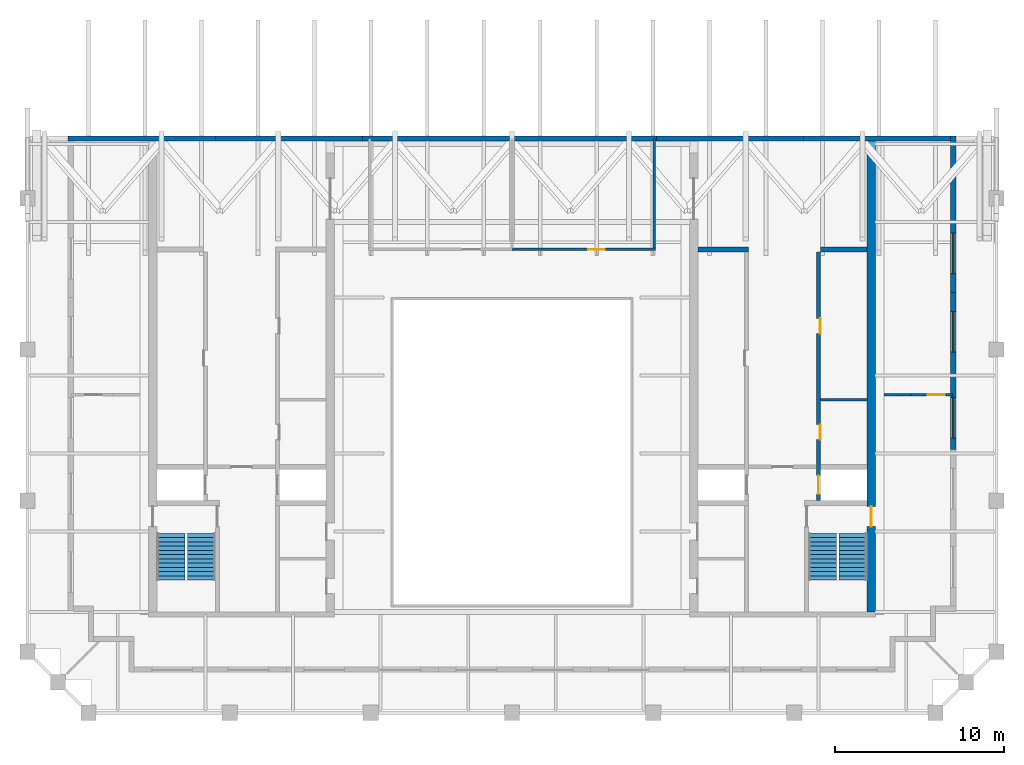
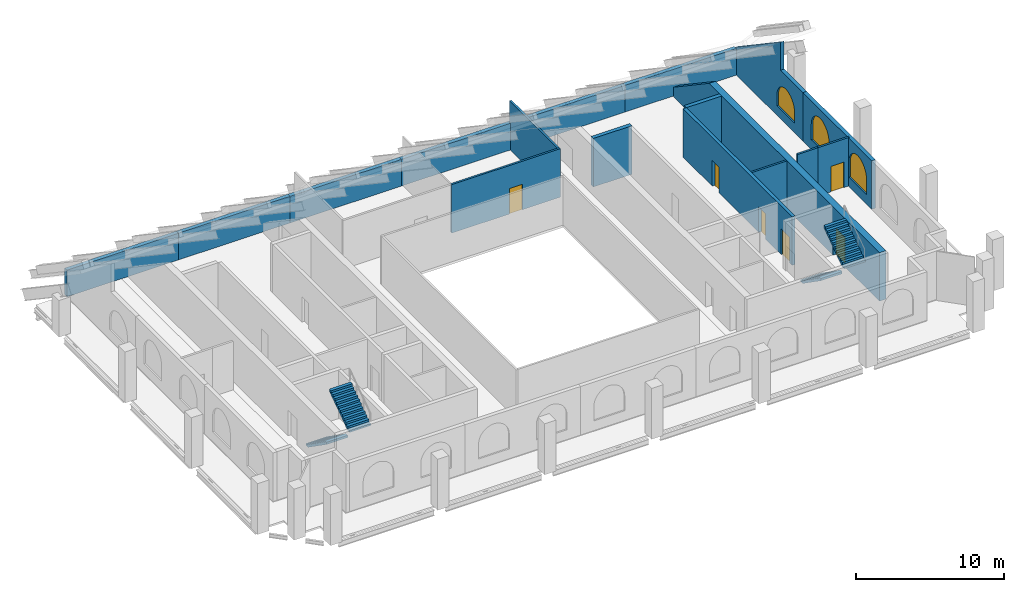
# One storey, part 5 of 6: 17 walls, 6 doors, 4 stair flights, 3 windows, 9 openings, 2 elements without a shape of their own.
"""IFC4 building model written with IfcOpenShell, lengths in metres."""

import ifcopenshell
import ifcopenshell.guid

model = None  # the IFC model being written
_history = None  # IfcOwnerHistory: only IFC2X3 demands one
_inside = {}  # id of a spatial element -> (the spatial element, [elements in it])
_under = {}  # id of a project, library or spatial element -> (it, [spatial elements below it])
_declared = {}  # id of a project -> (the project, [libraries it declares])
_typed = {}  # id of a type object -> (the type object, [elements of that type])
_made_of = {}  # id of a material, layer set ... -> (it, [elements and type objects made of it])


def new_model(schema):
    """Start an empty IFC model of exactly this schema.

    Asked for "IFC4X3", IfcOpenShell would pick the latest addendum, in which some entities
    have other attributes; the version numbers below select the first issue.
    IFC2X3 requires an IfcOwnerHistory on every rooted entity: one is made here for all.
    """
    global model, _history
    if schema == "IFC4X3":
        model = ifcopenshell.file(schema_version=(4, 3, 0, 0))
    else:
        model = ifcopenshell.file(schema=schema)
    _inside.clear()
    _under.clear()
    _declared.clear()
    _typed.clear()
    _made_of.clear()
    _history = None
    if model.schema == "IFC2X3":
        org = make("IfcOrganization", Name="unknown")
        user = make(
            "IfcPersonAndOrganization",
            ThePerson=make("IfcPerson", FamilyName="unknown"),
            TheOrganization=org,
        )
        app = make(
            "IfcApplication",
            ApplicationDeveloper=org,
            Version="unknown",
            ApplicationFullName="unknown",
            ApplicationIdentifier="unknown",
        )
        _history = make(
            "IfcOwnerHistory",
            OwningUser=user,
            OwningApplication=app,
            ChangeAction="ADDED",
            CreationDate=0,
        )
    return model


def make(cls, **values):
    """One entity of the class cls with the attributes given. An attribute that is None is left unset."""
    return model.create_entity(
        cls, **{name: value for name, value in values.items() if value is not None}
    )


def rooted(cls, **values):
    """An entity with a GlobalId (a new one), such as an element, a storey or a relation."""
    return make(cls, GlobalId=ifcopenshell.guid.new(), OwnerHistory=_history, **values)


def si_unit(unit_type, name, prefix=None):
    """IfcSIUnit, for example si_unit("LENGTHUNIT", "METRE", prefix="MILLI")."""
    return make("IfcSIUnit", UnitType=unit_type, Prefix=prefix, Name=name)


def assignment(units):
    """IfcUnitAssignment: the units of a project."""
    return None if units is None else make("IfcUnitAssignment", Units=units)


def point(xyz):
    """IfcCartesianPoint."""
    return None if xyz is None else make("IfcCartesianPoint", Coordinates=xyz)


def direction(xyz):
    """IfcDirection."""
    return None if xyz is None else make("IfcDirection", DirectionRatios=xyz)


def frame(location, z_axis=None, x_axis=None):
    """IfcAxis2Placement3D, a coordinate frame: its origin and axes. An axis left out is left unset."""
    return make(
        "IfcAxis2Placement3D",
        Location=point(location),
        Axis=direction(z_axis),
        RefDirection=direction(x_axis),
    )


def frame_2d(location, x_axis=None):
    """IfcAxis2Placement2D, a coordinate frame in the plane: its origin and x axis."""
    return make(
        "IfcAxis2Placement2D", Location=point(location), RefDirection=direction(x_axis)
    )


def origin():
    """The frame at (0, 0, 0) with its axes left unset."""
    return frame((0.0, 0.0, 0.0))


def place(relative_to, where):
    """IfcLocalPlacement: puts the frame where relative to a parent placement (None: the world)."""
    return make(
        "IfcLocalPlacement", PlacementRelTo=relative_to, RelativePlacement=where
    )


def context(
    kind, dimensions, precision=None, world=None, true_north=None, identifier=None
):
    """IfcGeometricRepresentationContext, for example the 3D "Model" context."""
    return make(
        "IfcGeometricRepresentationContext",
        ContextIdentifier=identifier,
        ContextType=kind,
        CoordinateSpaceDimension=dimensions,
        Precision=precision,
        WorldCoordinateSystem=world,
        TrueNorth=true_north,
    )


def subcontext(parent, identifier, kind, view, scale=None):
    """IfcGeometricRepresentationSubContext, for example "Body" below "Model"."""
    return make(
        "IfcGeometricRepresentationSubContext",
        ContextIdentifier=identifier,
        ContextType=kind,
        ParentContext=parent,
        TargetScale=scale,
        TargetView=view,
    )


def project(units=None, contexts=None):
    """IfcProject with its units and contexts."""
    return rooted(
        "IfcProject",
        Name="project",
        RepresentationContexts=contexts,
        UnitsInContext=assignment(units),
    )


def spatial(cls, under=None, at=None, **own):
    """A site, building, storey or space (cls), placed at a placement, below another one or the project."""
    s = rooted(cls, ObjectPlacement=at, **own)
    if under is not None:
        _under.setdefault(under.id(), (under, []))[1].append(s)
    return s


def polyline(points):
    """IfcPolyline through the points."""
    return make("IfcPolyline", Points=[point(p) for p in points])


def profile(cls, at=None, kind="AREA", **sizes):
    """A parametric profile (cls). Its sizes go by their IFC names, for example OverallWidth=200.0."""
    return make(cls, ProfileType=kind, Position=at, **sizes)


def rectangle(**sizes):
    """IfcRectangleProfileDef."""
    return profile("IfcRectangleProfileDef", **sizes)


def outline(outer, holes=None, kind="AREA"):
    """IfcArbitraryClosedProfileDef: a profile drawn as a closed curve; with holes, ...WithVoids."""
    if holes is None:
        return make("IfcArbitraryClosedProfileDef", ProfileType=kind, OuterCurve=outer)
    return make(
        "IfcArbitraryProfileDefWithVoids",
        ProfileType=kind,
        OuterCurve=outer,
        InnerCurves=holes,
    )


def extrude(swept, where, along, depth):
    """IfcExtrudedAreaSolid: the profile swept, set in the frame where, extruded along a direction by depth."""
    return make(
        "IfcExtrudedAreaSolid",
        SweptArea=swept,
        Position=where,
        ExtrudedDirection=direction(along),
        Depth=depth,
    )


def shape(context_of_items, identifier, shape_type, items):
    """IfcShapeRepresentation: the items that make up one representation, for example the "Body"."""
    return make(
        "IfcShapeRepresentation",
        ContextOfItems=context_of_items,
        RepresentationIdentifier=identifier,
        RepresentationType=shape_type,
        Items=items,
    )


def material(Name=None, Category=None):
    """IfcMaterial."""
    return make("IfcMaterial", Name=Name, Category=Category)


def layer(
    of_material, thickness, ventilated=None, Name=None, Category=None, Priority=None
):
    """IfcMaterialLayer: one layer of a wall or slab, of a material (None: an air gap)."""
    return make(
        "IfcMaterialLayer",
        Material=of_material,
        LayerThickness=thickness,
        IsVentilated=ventilated,
        Name=Name,
        Category=Category,
        Priority=Priority,
    )


def layer_set(layers, Name=None):
    """IfcMaterialLayerSet."""
    return make("IfcMaterialLayerSet", MaterialLayers=layers, LayerSetName=Name)


def made_of(thing, what):
    """Note that an element or type object is made of a material, layer set ...; save() writes the relation."""
    if what is not None:
        _made_of.setdefault(what.id(), (what, []))[1].append(thing)
    return thing


def type_object(cls, material=None, **own):
    """A type object (cls), such as IfcWallType, which elements share."""
    return made_of(rooted(cls, **own), material)


def element(
    cls,
    number,
    at=None,
    inside=None,
    cuts=None,
    type_object=None,
    material=None,
    context=None,
    identifier="Body",
    shape_type=None,
    held_by="IfcProductDefinitionShape",
    body=None,
    shapes=None,
    **own,
):
    """One element of the class cls, such as IfcWall. Its Tag is "e" and its number.

    at: its placement. inside: the storey or other place that contains it. cuts: it is an
    opening in that element (IfcRelVoidsElement). A single representation is given by context,
    identifier, shape_type and body (its items); several are given by shapes. held_by: the class
    of the entity that holds the representations. save() writes the other relations.
    """
    e = rooted(cls, Tag="e%d" % number, ObjectPlacement=at, **own)
    if body is not None:
        shapes = [shape(context, identifier, shape_type, body)]
    if shapes is not None:
        e.Representation = make(held_by, Representations=shapes)
    if inside is not None:
        _inside.setdefault(inside.id(), (inside, []))[1].append(e)
    if cuts is not None:
        rooted(
            "IfcRelVoidsElement", RelatingBuildingElement=cuts, RelatedOpeningElement=e
        )
    if type_object is not None:
        _typed.setdefault(type_object.id(), (type_object, []))[1].append(e)
    return made_of(e, material)


def fill(opening, filler):
    """IfcRelFillsElement: the door or window that sits in an opening."""
    return rooted(
        "IfcRelFillsElement",
        RelatingOpeningElement=opening,
        RelatedBuildingElement=filler,
    )


def aggregate(whole, parts):
    """IfcRelAggregates: a whole, such as a stair, and the parts it consists of."""
    return rooted("IfcRelAggregates", RelatingObject=whole, RelatedObjects=parts)


def save(model, path):
    """Write the relations noted so far, then the file.

    IfcRelAggregates (storeys below a building ...), IfcRelContainedInSpatialStructure (elements
    in a storey), IfcRelDefinesByType, IfcRelAssociatesMaterial and IfcRelDeclares: one each for
    every whole, place, type object, material and project.
    """
    for whole, parts in _under.values():
        aggregate(whole, parts)
    for where, things in _inside.values():
        rooted(
            "IfcRelContainedInSpatialStructure",
            RelatedElements=things,
            RelatingStructure=where,
        )
    for kind, things in _typed.values():
        rooted("IfcRelDefinesByType", RelatedObjects=things, RelatingType=kind)
    for what, things in _made_of.values():
        rooted("IfcRelAssociatesMaterial", RelatedObjects=things, RelatingMaterial=what)
    for by, libraries in _declared.values():
        rooted("IfcRelDeclares", RelatingContext=by, RelatedDefinitions=libraries)
    model.write(path)


model = new_model("IFC4")

# Units and contexts
model_context = context("Model", 3, precision=1e-05, world=origin(), true_north=direction((0.0, 1.0)))
body_context = subcontext(model_context, "Body", "Model", "MODEL_VIEW")
ifc_project = project(units=[si_unit("LENGTHUNIT", "METRE"), si_unit("AREAUNIT", "SQUARE_METRE"), si_unit("VOLUMEUNIT", "CUBIC_METRE"), si_unit("PLANEANGLEUNIT", "RADIAN"), si_unit("MASSUNIT", "GRAM", prefix="KILO")], contexts=[model_context])

# Site, building, storey
site_placement = place(None, origin())
site = spatial("IfcSite", under=ifc_project, at=site_placement, CompositionType="ELEMENT")
building_placement = place(site_placement, origin())
building = spatial("IfcBuilding", under=site, at=building_placement, Name="Ogive Exchange Tower", CompositionType="ELEMENT")
storey_placement = place(building_placement, frame((0.0, 0.0, 390.0)))
storey = spatial("IfcBuildingStorey", under=building, at=storey_placement, Name="C06", CompositionType="ELEMENT", Elevation=390.0)

# Walls
ifc_material_1 = material(Name="Gypsum board partition")
ifc_layer_1 = layer(ifc_material_1, 0.14990234375)
ifc_layer_set_1 = layer_set([ifc_layer_1], Name="Core room partition 150 gypsum")
wall_type_1 = type_object("IfcWallType", Name="Core room partition 150 gypsum", PredefinedType="PARTITIONING", material=ifc_layer_set_1)
wall_1_placement = place(storey_placement, frame((18.25, 10.10009765625, 0.0), z_axis=(0.0, 0.0, 1.0), x_axis=(1.0, 0.0, 0.0)))
element("IfcWall", 1, at=wall_1_placement, inside=storey, type_object=wall_type_1, Name="E row A bay partition 1-1", PredefinedType="PARTITIONING", context=body_context, shape_type="SweptSolid", body=[
    extrude(rectangle(XDim=2.75, YDim=0.14990234375, at=frame_2d((1.375, 0.0))), origin(), (0.0, 0.0, 1.0), 4.0),
])
ifc_layer_2 = layer(ifc_material_1, 0.300048828125)
ifc_layer_set_2 = layer_set([ifc_layer_2], Name="Core room partition 300 gypsum")
wall_type_2 = type_object("IfcWallType", Name="Core room partition 300 gypsum", PredefinedType="PARTITIONING", material=ifc_layer_set_2)
wall_2_placement = place(storey_placement, frame((18.25, 19.0, 0.0), z_axis=(0.0, 0.0, 1.0), x_axis=(1.0, 0.0, 0.0)))
element("IfcWall", 2, at=wall_2_placement, inside=storey, type_object=wall_type_2, Name="E row A room end wall 7", PredefinedType="PARTITIONING", context=body_context, shape_type="SweptSolid", body=[
    extrude(rectangle(XDim=2.75, YDim=0.300048828125, at=frame_2d((1.375, 0.0))), origin(), (0.0, 0.0, 1.0), 4.0),
])
wall_3_placement = place(storey_placement, frame((11.0, 19.0, 0.0), z_axis=(0.0, 0.0, 1.0), x_axis=(1.0, 0.0, 0.0)))
element("IfcWall", 3, at=wall_3_placement, inside=storey, type_object=wall_type_2, Name="E row B room end wall 7", PredefinedType="PARTITIONING", context=body_context, shape_type="SweptSolid", body=[
    extrude(rectangle(XDim=3.0, YDim=0.300048828125, at=frame_2d((1.5, 0.0))), origin(), (0.0, 0.0, 1.0), 4.0),
])

# Wall, opening, door
ifc_material_2 = material(Name="Fire partition EI 60 150")
ifc_layer_3 = layer(ifc_material_2, 0.14990234375)
ifc_layer_set_3 = layer_set([ifc_layer_3], Name="Fire partition EI 60 150")
wall_type_3 = type_object("IfcWallType", Name="Fire partition EI 60 150", PredefinedType="PARTITIONING", material=ifc_layer_set_3)
wall_4_placement = place(storey_placement, frame((0.0, 19.0, 0.0), z_axis=(0.0, 0.0, 1.0), x_axis=(1.0, 0.0, 0.0)))
wall_4 = element("IfcWall", 4, at=wall_4_placement, inside=storey, type_object=wall_type_3, Name="C06-PWL-006", PredefinedType="PARTITIONING", context=body_context, shape_type="SweptSolid", body=[
    extrude(rectangle(XDim=8.47509765625, YDim=0.14990234375, at=frame_2d((4.237548828125, 0.0))), origin(), (0.0, 0.0, 1.0), 4.0),
])
opening_1_placement = place(wall_4_placement, frame((4.5, 0.0, 0.0)))
opening_1 = element("IfcOpeningElement", 5, at=opening_1_placement, cuts=wall_4, Name="Opening C06-I01", PredefinedType="OPENING", context=body_context, shape_type="SweptSolid", body=[
    extrude(rectangle(XDim=1.0, YDim=2.10009765625, at=frame_2d((0.5, 1.050048828125))), frame((0.0, 0.0849609375, 0.0), z_axis=(0.0, -1.0, 0.0), x_axis=(1.0, 0.0, 0.0)), (0.0, 0.0, 1.0), 0.169921875),
])
ifc_material_3 = material(Name="Fire door FD 30S 1000 x 2100")
door_type_1 = type_object("IfcDoorType", Name="Fire door FD 30S 1000 x 2100", OperationType="NOTDEFINED", PredefinedType="DOOR", material=ifc_material_3)
door_1_placement = place(opening_1_placement, origin())
door_1 = element("IfcDoor", 6, at=door_1_placement, inside=storey, type_object=door_type_1, Name="C06-IDR-001", ObjectType="DT3", OperationType="SINGLE_SWING_LEFT", OverallHeight=2.10009765625, OverallWidth=1.0, PredefinedType="DOOR", context=body_context, shape_type="SweptSolid", body=[
    extrude(rectangle(XDim=1.0, YDim=2.10009765625, at=frame_2d((0.5, 1.050048828125))), frame((0.0, 0.02490234375, 0.0), z_axis=(0.0, -1.0, 0.0), x_axis=(1.0, 0.0, 0.0)), (0.0, 0.0, 1.0), 0.050048828125),
])
fill(opening_1, door_1)

# Walls
wall_5_placement = place(storey_placement, frame((8.39990234375, 19.074951171875, 0.0), z_axis=(0.0, 0.0, 1.0), x_axis=(0.0, 1.0, 0.0)))
element("IfcWall", 7, at=wall_5_placement, inside=storey, type_object=wall_type_3, Name="C06-PWL-007", PredefinedType="PARTITIONING", context=body_context, shape_type="SweptSolid", body=[
    extrude(rectangle(XDim=6.446044921875, YDim=0.14990234375, at=frame_2d((3.22314453125, 0.0))), origin(), (0.0, 0.0, 1.0), 4.0),
])
wall_6_placement = place(storey_placement, frame((22.0, 10.39990234375, 0.0), z_axis=(0.0, 0.0, 1.0), x_axis=(1.0, 0.0, 0.0)))
element("IfcWall", 8, at=wall_6_placement, inside=storey, type_object=wall_type_3, Name="C06-PWL-008", PredefinedType="PARTITIONING", context=body_context, shape_type="SweptSolid", body=[
    extrude(rectangle(XDim=1.60009765625, YDim=0.14990234375, at=frame_2d((0.800048828125, 0.0))), origin(), (0.0, 0.0, 1.0), 4.0),
])

# Wall, opening, door
wall_7_placement = place(storey_placement, frame((23.60009765625, 10.39990234375, 0.0), z_axis=(0.0, 0.0, 1.0), x_axis=(1.0, 0.0, 0.0)))
wall_7 = element("IfcWall", 9, at=wall_7_placement, inside=storey, type_object=wall_type_3, Name="C06-PWL-009", PredefinedType="PARTITIONING", context=body_context, shape_type="SweptSolid", body=[
    extrude(rectangle(XDim=2.449951171875, YDim=0.14990234375, at=frame_2d((1.22509765625, 0.0))), origin(), (0.0, 0.0, 1.0), 4.0),
])
opening_2_placement = place(wall_7_placement, frame((1.0, 0.0, 0.0)))
opening_2 = element("IfcOpeningElement", 10, at=opening_2_placement, cuts=wall_7, Name="Opening C06-I04", PredefinedType="OPENING", context=body_context, shape_type="SweptSolid", body=[
    extrude(rectangle(XDim=1.0, YDim=2.10009765625, at=frame_2d((0.5, 1.050048828125))), frame((0.0, 0.0849609375, 0.0), z_axis=(0.0, -1.0, 0.0), x_axis=(1.0, 0.0, 0.0)), (0.0, 0.0, 1.0), 0.169921875),
])
door_2_placement = place(opening_2_placement, origin())
door_2 = element("IfcDoor", 11, at=door_2_placement, inside=storey, type_object=door_type_1, Name="C06-IDR-004", ObjectType="DT3", OperationType="SINGLE_SWING_LEFT", OverallHeight=2.10009765625, OverallWidth=1.0, PredefinedType="DOOR", context=body_context, shape_type="SweptSolid", body=[
    extrude(rectangle(XDim=1.0, YDim=2.10009765625, at=frame_2d((0.5, 1.050048828125))), frame((0.0, 0.02490234375, 0.0), z_axis=(0.0, -1.0, 0.0), x_axis=(1.0, 0.0, 0.0)), (0.0, 0.0, 1.0), 0.050048828125),
])
fill(opening_2, door_2)

# Wall, openings, doors
ifc_material_4 = material(Name="Concrete C70/85", Category="concrete")
ifc_layer_4 = layer(ifc_material_4, 0.25)
ifc_layer_set_4 = layer_set([ifc_layer_4], Name="RC core wall 250 C70/85")
wall_type_4 = type_object("IfcWallType", Name="RC core wall 250 C70/85", PredefinedType="SHEAR", material=ifc_layer_set_4)
wall_8_placement = place(storey_placement, frame((18.125, 4.14990234375, 0.0), z_axis=(0.0, 0.0, 1.0), x_axis=(0.0, 1.0, 0.0)))
wall_8 = element("IfcWall", 12, at=wall_8_placement, inside=storey, type_object=wall_type_4, Name="E row A front wall", PredefinedType="SHEAR", context=body_context, shape_type="SweptSolid", body=[
    extrude(rectangle(XDim=14.7001953125, YDim=0.25, at=frame_2d((7.35009765625, 0.0))), origin(), (0.0, 0.0, 1.0), 4.0),
])
opening_3_placement = place(wall_8_placement, frame((3.596435546875, 0.0, 0.0)))
opening_3 = element("IfcOpeningElement", 13, at=opening_3_placement, cuts=wall_8, Name="Opening C06-C12", PredefinedType="OPENING", context=body_context, shape_type="SweptSolid", body=[
    extrude(rectangle(XDim=0.89990234375, YDim=2.10009765625, at=frame_2d((0.449951171875, 1.050048828125))), frame((0.0, 0.135009765625, 0.0), z_axis=(0.0, -1.0, 0.0), x_axis=(1.0, 0.0, 0.0)), (0.0, 0.0, 1.0), 0.27001953125),
])
opening_4_placement = place(wall_8_placement, frame((9.875, 0.0, 0.0)))
opening_4 = element("IfcOpeningElement", 14, at=opening_4_placement, cuts=wall_8, Name="Opening C06-C13", PredefinedType="OPENING", context=body_context, shape_type="SweptSolid", body=[
    extrude(rectangle(XDim=0.89990234375, YDim=2.10009765625, at=frame_2d((0.449951171875, 1.050048828125))), frame((0.0, 0.135009765625, 0.0), z_axis=(0.0, -1.0, 0.0), x_axis=(1.0, 0.0, 0.0)), (0.0, 0.0, 1.0), 0.27001953125),
])
opening_5_placement = place(wall_8_placement, frame((0.371337890625, 0.0, 0.0)))
opening_5 = element("IfcOpeningElement", 15, at=opening_5_placement, cuts=wall_8, Name="Opening C06-C14", PredefinedType="OPENING", context=body_context, shape_type="SweptSolid", body=[
    extrude(rectangle(XDim=1.10009765625, YDim=2.10009765625, at=frame_2d((0.550048828125, 1.050048828125))), frame((0.0, 0.135009765625, 0.0), z_axis=(0.0, -1.0, 0.0), x_axis=(1.0, 0.0, 0.0)), (0.0, 0.0, 1.0), 0.27001953125),
])
ifc_material_5 = material(Name="Stainless steel", Category="steel")
door_type_2 = type_object("IfcDoorType", Name="Lift landing door FD90 1100 x 2100", OperationType="SLIDING_TO_LEFT", PredefinedType="DOOR", material=ifc_material_5)
door_3_placement = place(opening_5_placement, origin())
door_3 = element("IfcDoor", 16, at=door_3_placement, inside=storey, type_object=door_type_2, Name="Lift landing door FF2", ObjectType="LD", OperationType="SLIDING_TO_LEFT", OverallHeight=2.10009765625, OverallWidth=1.10009765625, PredefinedType="DOOR", context=body_context, shape_type="SweptSolid", body=[
    extrude(rectangle(XDim=1.10009765625, YDim=2.10009765625, at=frame_2d((0.550048828125, 1.050048828125))), frame((0.0, 0.02490234375, 0.0), z_axis=(0.0, -1.0, 0.0), x_axis=(1.0, 0.0, 0.0)), (0.0, 0.0, 1.0), 0.050048828125),
])
fill(opening_5, door_3)
ifc_material_6 = material(Name="Steel fire door", Category="steel")
door_type_3 = type_object("IfcDoorType", Name="Riser door FD60 900 x 2100", OperationType="NOTDEFINED", PredefinedType="DOOR", material=ifc_material_6)
door_4_placement = place(opening_3_placement, frame((0.89990234375, -0.2001953125, 0.0), z_axis=(0.0, 0.0, 1.0), x_axis=(-1.0, 0.0, 0.0)))
door_4 = element("IfcDoor", 17, at=door_4_placement, inside=storey, type_object=door_type_3, Name="Riser door", ObjectType="CD2", OperationType="SINGLE_SWING_RIGHT", OverallHeight=2.10009765625, OverallWidth=0.89990234375, PredefinedType="DOOR", context=body_context, shape_type="SweptSolid", body=[
    extrude(rectangle(XDim=0.89990234375, YDim=2.10009765625, at=frame_2d((0.449951171875, 1.050048828125))), frame((0.0, -0.0751953125, 0.0), z_axis=(0.0, -1.0, 0.0), x_axis=(1.0, 0.0, 0.0)), (0.0, 0.0, 1.0), 0.050048828125),
])
fill(opening_3, door_4)
door_5_placement = place(opening_4_placement, frame((0.89990234375, -0.2001953125, 0.0), z_axis=(0.0, 0.0, 1.0), x_axis=(-1.0, 0.0, 0.0)))
door_5 = element("IfcDoor", 18, at=door_5_placement, inside=storey, type_object=door_type_3, Name="Riser door", ObjectType="CD2", OperationType="SINGLE_SWING_RIGHT", OverallHeight=2.10009765625, OverallWidth=0.89990234375, PredefinedType="DOOR", context=body_context, shape_type="SweptSolid", body=[
    extrude(rectangle(XDim=0.89990234375, YDim=2.10009765625, at=frame_2d((0.449951171875, 1.050048828125))), frame((0.0, -0.0751953125, 0.0), z_axis=(0.0, -1.0, 0.0), x_axis=(1.0, 0.0, 0.0)), (0.0, 0.0, 1.0), 0.050048828125),
])
fill(opening_4, door_5)

# Wall, opening, door
ifc_layer_5 = layer(ifc_material_4, 0.5)
ifc_layer_set_5 = layer_set([ifc_layer_5], Name="RC core wall 500 C70/85")
wall_type_5 = type_object("IfcWallType", Name="RC core wall 500 C70/85", PredefinedType="SHEAR", material=ifc_layer_set_5)
wall_9_placement = place(storey_placement, frame((21.25, -2.449951171875, 0.0), z_axis=(0.0, 0.0, 1.0), x_axis=(0.0, 1.0, 0.0)))
wall_9 = element("IfcWall", 19, at=wall_9_placement, inside=storey, type_object=wall_type_5, Name="E outer wall", PredefinedType="SHEAR", context=body_context, shape_type="SweptSolid", body=[
    extrude(outline(polyline([(0.0, 0.0), (27.830810546875, 0.0), (27.830810546875, 0.753662109375), (23.017822265625, 4.0), (0.0, 4.0), (0.0, 0.0)])), frame((0.0, 0.25, 0.0), z_axis=(0.0, -1.0, 0.0), x_axis=(1.0, 0.0, 0.0)), (0.0, 0.0, 1.0), 0.5),
])
opening_6_placement = place(wall_9_placement, frame((5.050048828125, 0.0, 0.0)))
opening_6 = element("IfcOpeningElement", 20, at=opening_6_placement, cuts=wall_9, Name="Opening C06-C20", PredefinedType="OPENING", context=body_context, shape_type="SweptSolid", body=[
    extrude(rectangle(XDim=1.199951171875, YDim=2.10009765625, at=frame_2d((0.60009765625, 1.050048828125))), frame((0.0, 0.260009765625, 0.0), z_axis=(0.0, -1.0, 0.0), x_axis=(1.0, 0.0, 0.0)), (0.0, 0.0, 1.0), 0.52001953125),
])
door_type_4 = type_object("IfcDoorType", Name="Stair door FD90 1200 x 2100", OperationType="NOTDEFINED", PredefinedType="DOOR", material=ifc_material_6)
door_6_placement = place(opening_6_placement, frame((1.199951171875, 0.0, 0.0), z_axis=(0.0, 0.0, 1.0), x_axis=(-1.0, 0.0, 0.0)))
door_6 = element("IfcDoor", 21, at=door_6_placement, inside=storey, type_object=door_type_4, Name="Stair door", ObjectType="CD5", OperationType="SINGLE_SWING_LEFT", OverallHeight=2.10009765625, OverallWidth=1.199951171875, PredefinedType="DOOR", context=body_context, shape_type="SweptSolid", body=[
    extrude(rectangle(XDim=1.199951171875, YDim=2.10009765625, at=frame_2d((0.60009765625, 1.050048828125))), frame((0.0, 0.02490234375, 0.0), z_axis=(0.0, -1.0, 0.0), x_axis=(1.0, 0.0, 0.0)), (0.0, 0.0, 1.0), 0.050048828125),
])
fill(opening_6, door_6)

# Wall, openings, windows
ifc_material_7 = material(Name="Precast concrete C40/50", Category="concrete")
ifc_layer_6 = layer(ifc_material_7, 0.300048828125)
ifc_layer_set_6 = layer_set([ifc_layer_6], Name="Zinc-clad crown wall 300")
wall_type_6 = type_object("IfcWallType", Name="Zinc-clad crown wall 300", PredefinedType="STANDARD", material=ifc_layer_set_6)
wall_10_placement = place(storey_placement, frame((26.10009765625, 7.173583984375, 0.0), z_axis=(0.0, 0.0, 1.0), x_axis=(0.0, 1.0, 0.0)))
wall_10 = element("IfcWall", 22, at=wall_10_placement, inside=storey, type_object=wall_type_6, Name="Crown wall 14", PredefinedType="STANDARD", context=body_context, shape_type="SweptSolid", body=[
    extrude(rectangle(XDim=9.273681640625, YDim=0.300048828125, at=frame_2d((4.63671875, 0.0))), origin(), (0.0, 0.0, 1.0), 4.0),
])
opening_7_placement = place(wall_10_placement, frame((0.676513671875, 0.0, 0.800048828125)))
opening_7 = element("IfcOpeningElement", 23, at=opening_7_placement, cuts=wall_10, Name="Opening WC25", PredefinedType="OPENING", context=body_context, shape_type="SweptSolid", body=[
    extrude(outline(polyline([(0.0, 0.0), (2.39990234375, 0.0), (2.39990234375, 1.25), (2.377197265625, 1.48779296875), (2.3095703125, 1.717041015625), (2.19970703125, 1.928955078125), (2.05126953125, 2.116455078125), (1.8701171875, 2.272216796875), (1.662841796875, 2.390625), (1.4365234375, 2.467529296875), (1.199951171875, 2.5), (0.96337890625, 2.467529296875), (0.737060546875, 2.390625), (0.52978515625, 2.272216796875), (0.3486328125, 2.116455078125), (0.2001953125, 1.928955078125), (0.09033203125, 1.717041015625), (0.022705078125, 1.48779296875), (0.0, 1.25), (0.0, 0.0)])), frame((0.0, 0.159912109375, 0.0), z_axis=(0.0, -1.0, 0.0), x_axis=(1.0, 0.0, 0.0)), (0.0, 0.0, 1.0), 0.320068359375),
])
opening_8_placement = place(wall_10_placement, frame((5.755126953125, 0.0, 0.800048828125)))
opening_8 = element("IfcOpeningElement", 24, at=opening_8_placement, cuts=wall_10, Name="Opening WC25", PredefinedType="OPENING", context=body_context, shape_type="SweptSolid", body=[
    extrude(outline(polyline([(0.0, 0.0), (2.39990234375, 0.0), (2.39990234375, 1.25), (2.377197265625, 1.48779296875), (2.3095703125, 1.717041015625), (2.19970703125, 1.928955078125), (2.05126953125, 2.116455078125), (1.8701171875, 2.272216796875), (1.662841796875, 2.390625), (1.4365234375, 2.467529296875), (1.199951171875, 2.5), (0.96337890625, 2.467529296875), (0.737060546875, 2.390625), (0.52978515625, 2.272216796875), (0.3486328125, 2.116455078125), (0.2001953125, 1.928955078125), (0.09033203125, 1.717041015625), (0.022705078125, 1.48779296875), (0.0, 1.25), (0.0, 0.0)])), frame((0.0, 0.159912109375, 0.0), z_axis=(0.0, -1.0, 0.0), x_axis=(1.0, 0.0, 0.0)), (0.0, 0.0, 1.0), 0.320068359375),
])
ifc_material_8 = material(Name="Clear glass in bronze frame", Category="glass")
window_type_1 = type_object("IfcWindowType", Name="Crown lancet window 2400 x 2500", PartitioningType="DOUBLE_PANEL_VERTICAL", PredefinedType="WINDOW", material=ifc_material_8)
window_1_placement = place(opening_7_placement, origin())
window_1 = element("IfcWindow", 25, at=window_1_placement, inside=storey, type_object=window_type_1, Name="Crown lancet 14.1", OverallHeight=2.5, OverallWidth=2.39990234375, PartitioningType="DOUBLE_PANEL_VERTICAL", PredefinedType="WINDOW", context=body_context, shape_type="SweptSolid", body=[
    extrude(outline(polyline([(0.0, 0.0), (2.39990234375, 0.0), (2.39990234375, 1.25), (2.377197265625, 1.48779296875), (2.3095703125, 1.717041015625), (2.19970703125, 1.928955078125), (2.05126953125, 2.116455078125), (1.8701171875, 2.272216796875), (1.662841796875, 2.390625), (1.4365234375, 2.467529296875), (1.199951171875, 2.5), (0.96337890625, 2.467529296875), (0.737060546875, 2.390625), (0.52978515625, 2.272216796875), (0.3486328125, 2.116455078125), (0.2001953125, 1.928955078125), (0.09033203125, 1.717041015625), (0.022705078125, 1.48779296875), (0.0, 1.25), (0.0, 0.0)])), frame((0.0, 0.030029296875, 0.0), z_axis=(0.0, -1.0, 0.0), x_axis=(1.0, 0.0, 0.0)), (0.0, 0.0, 1.0), 0.06005859375),
])
fill(opening_7, window_1)
window_2_placement = place(opening_8_placement, origin())
window_2 = element("IfcWindow", 26, at=window_2_placement, inside=storey, type_object=window_type_1, Name="Crown lancet 14.2", OverallHeight=2.5, OverallWidth=2.39990234375, PartitioningType="DOUBLE_PANEL_VERTICAL", PredefinedType="WINDOW", context=body_context, shape_type="SweptSolid", body=[
    extrude(outline(polyline([(0.0, 0.0), (2.39990234375, 0.0), (2.39990234375, 1.25), (2.377197265625, 1.48779296875), (2.3095703125, 1.717041015625), (2.19970703125, 1.928955078125), (2.05126953125, 2.116455078125), (1.8701171875, 2.272216796875), (1.662841796875, 2.390625), (1.4365234375, 2.467529296875), (1.199951171875, 2.5), (0.96337890625, 2.467529296875), (0.737060546875, 2.390625), (0.52978515625, 2.272216796875), (0.3486328125, 2.116455078125), (0.2001953125, 1.928955078125), (0.09033203125, 1.717041015625), (0.022705078125, 1.48779296875), (0.0, 1.25), (0.0, 0.0)])), frame((0.0, 0.030029296875, 0.0), z_axis=(0.0, -1.0, 0.0), x_axis=(1.0, 0.0, 0.0)), (0.0, 0.0, 1.0), 0.06005859375),
])
fill(opening_8, window_2)

# Wall, opening, window
wall_11_placement = place(storey_placement, frame((26.10009765625, 16.447265625, 0.0), z_axis=(0.0, 0.0, 1.0), x_axis=(0.0, 1.0, 0.0)))
wall_11 = element("IfcWall", 27, at=wall_11_placement, inside=storey, type_object=wall_type_6, Name="Crown wall 15", PredefinedType="STANDARD", context=body_context, shape_type="SweptSolid", body=[
    extrude(outline(polyline([(0.0, 0.0), (9.273681640625, 0.0), (9.273681640625, 2.098388671875), (6.45458984375, 4.0), (3.06689453125, 6.284912109375), (3.046875, 6.2978515625), (3.046875, 4.0), (0.0, 4.0), (0.0, 0.0)])), frame((0.0, 0.14990234375, 0.0), z_axis=(0.0, -1.0, 0.0), x_axis=(1.0, 0.0, 0.0)), (0.0, 0.0, 1.0), 0.300048828125),
])
opening_9_placement = place(wall_11_placement, frame((1.118408203125, 0.0, 0.800048828125)))
opening_9 = element("IfcOpeningElement", 28, at=opening_9_placement, cuts=wall_11, Name="Opening WC25A", PredefinedType="OPENING", context=body_context, shape_type="SweptSolid", body=[
    extrude(outline(polyline([(0.0, 0.0), (2.39990234375, 0.0), (2.39990234375, 0.85009765625), (2.377197265625, 1.087890625), (2.3095703125, 1.317138671875), (2.19970703125, 1.529052734375), (2.05126953125, 1.716552734375), (1.8701171875, 1.872314453125), (1.662841796875, 1.99072265625), (1.4365234375, 2.067626953125), (1.199951171875, 2.10009765625), (0.96337890625, 2.067626953125), (0.737060546875, 1.99072265625), (0.52978515625, 1.872314453125), (0.3486328125, 1.716552734375), (0.2001953125, 1.529052734375), (0.09033203125, 1.317138671875), (0.022705078125, 1.087890625), (0.0, 0.85009765625), (0.0, 0.0)])), frame((0.0, 0.159912109375, 0.0), z_axis=(0.0, -1.0, 0.0), x_axis=(1.0, 0.0, 0.0)), (0.0, 0.0, 1.0), 0.320068359375),
])
window_type_2 = type_object("IfcWindowType", Name="Crown lancet window 2400 x 2100", PartitioningType="DOUBLE_PANEL_VERTICAL", PredefinedType="WINDOW", material=ifc_material_8)
window_3_placement = place(opening_9_placement, origin())
window_3 = element("IfcWindow", 29, at=window_3_placement, inside=storey, type_object=window_type_2, Name="Crown lancet 15.1", OverallHeight=2.10009765625, OverallWidth=2.39990234375, PartitioningType="DOUBLE_PANEL_VERTICAL", PredefinedType="WINDOW", context=body_context, shape_type="SweptSolid", body=[
    extrude(outline(polyline([(0.0, 0.0), (2.39990234375, 0.0), (2.39990234375, 0.85009765625), (2.377197265625, 1.087890625), (2.3095703125, 1.317138671875), (2.19970703125, 1.529052734375), (2.05126953125, 1.716552734375), (1.8701171875, 1.872314453125), (1.662841796875, 1.99072265625), (1.4365234375, 2.067626953125), (1.199951171875, 2.10009765625), (0.96337890625, 2.067626953125), (0.737060546875, 1.99072265625), (0.52978515625, 1.872314453125), (0.3486328125, 1.716552734375), (0.2001953125, 1.529052734375), (0.09033203125, 1.317138671875), (0.022705078125, 1.087890625), (0.0, 0.85009765625), (0.0, 0.0)])), frame((0.0, 0.030029296875, 0.0), z_axis=(0.0, -1.0, 0.0), x_axis=(1.0, 0.0, 0.0)), (0.0, 0.0, 1.0), 0.06005859375),
])
fill(opening_9, window_3)

# Walls
for number, where, z_axis, x_axis, name in (
    (30, (25.949951171875, 25.57080078125, 0.0), (0.0, 0.0, 1.0), (-1.0, 0.0, 0.0), "Crown wall 16"),
    (31, (17.25, 25.57080078125, 0.0), (0.0, 0.0, 1.0), (-1.0, 0.0, 0.0), "Crown wall 17"),
    (32, (8.550048828125, 25.57080078125, 0.0), (0.0, 0.0, 1.0), (-1.0, 0.0, 0.0), "Crown wall 18"),
):
    element("IfcWall", number, at=place(storey_placement, frame(where, z_axis=z_axis, x_axis=x_axis)), inside=storey, type_object=wall_type_6, Name=name, PredefinedType="STANDARD", context=body_context, shape_type="SweptSolid", body=[
        extrude(rectangle(XDim=8.699951171875, YDim=0.300048828125, at=frame_2d((4.35009765625, 0.0))), origin(), (0.0, 0.0, 1.0), 2.19970703125),
    ])
wall_12_placement = place(storey_placement, frame((-0.14990234375, 25.57080078125, 0.0), z_axis=(0.0, 0.0, 1.0), x_axis=(-1.0, 0.0, 0.0)))
element("IfcWall", 33, at=wall_12_placement, inside=storey, type_object=wall_type_6, Name="Crown wall 19", PredefinedType="STANDARD", context=body_context, shape_type="SweptSolid", body=[
    extrude(rectangle(XDim=8.7001953125, YDim=0.300048828125, at=frame_2d((4.35009765625, 0.0))), origin(), (0.0, 0.0, 1.0), 2.19970703125),
])
for number, where, z_axis, x_axis, name in (
    (34, (-8.85009765625, 25.57080078125, 0.0), (0.0, 0.0, 1.0), (-1.0, 0.0, 0.0), "Crown wall 20"),
    (35, (-17.550048828125, 25.57080078125, 0.0), (0.0, 0.0, 1.0), (-1.0, 0.0, 0.0), "Crown wall 21"),
):
    element("IfcWall", number, at=place(storey_placement, frame(where, z_axis=z_axis, x_axis=x_axis)), inside=storey, type_object=wall_type_6, Name=name, PredefinedType="STANDARD", context=body_context, shape_type="SweptSolid", body=[
        extrude(rectangle(XDim=8.699951171875, YDim=0.300048828125, at=frame_2d((4.35009765625, 0.0))), origin(), (0.0, 0.0, 1.0), 2.19970703125),
    ])

# Stair, stair flights
ifc_material_9 = material(Name="Concrete C40/50", Category="concrete")
stair_type = type_object("IfcStairType", Name="Exit stair 1650 wide", PredefinedType="HALF_TURN_STAIR", material=ifc_material_9)
stair_1_placement = place(storey_placement, origin())
stair_1 = element("IfcStair", 36, at=stair_1_placement, inside=storey, type_object=stair_type, Name="C06 exit stair ST1", PredefinedType="HALF_TURN_STAIR")
stair_flight_type = type_object("IfcStairFlightType", Name="Stair flight 1650 wide", PredefinedType="STRAIGHT", material=ifc_material_9)
stair_flight_1_placement = place(storey_placement, frame((-20.175048828125, 2.199951171875, 0.0), z_axis=(0.0, 0.0, 1.0), x_axis=(0.0, -1.0, 0.0)))
stair_flight_1 = element("IfcStairFlight", 37, at=stair_flight_1_placement, type_object=stair_flight_type, Name="ST1 flight 1", NumberOfRisers=12, NumberOfTreads=11, PredefinedType="STRAIGHT", RiserHeight=0.175, TreadLength=0.25, context=body_context, shape_type="SweptSolid", body=[
    extrude(outline(polyline([(0.0, 0.0), (0.0, 0.175048828125), (0.25, 0.175048828125), (0.25, 0.35009765625), (0.5, 0.35009765625), (0.5, 0.52490234375), (0.75, 0.52490234375), (0.75, 0.699951171875), (1.0, 0.699951171875), (1.0, 0.875), (1.25, 0.875), (1.25, 1.050048828125), (1.5, 1.050048828125), (1.5, 1.22509765625), (1.75, 1.22509765625), (1.75, 1.39990234375), (2.0, 1.39990234375), (2.0, 1.574951171875), (2.25, 1.574951171875), (2.25, 1.75), (2.5, 1.75), (2.5, 1.925048828125), (2.75, 1.925048828125), (2.75, 2.10009765625), (2.75, 1.741943359375), (0.261474609375, 0.0), (0.0, 0.0)])), frame((0.0, 0.824951171875, 0.0), z_axis=(0.0, -1.0, 0.0), x_axis=(1.0, 0.0, 0.0)), (0.0, 0.0, 1.0), 1.64990234375),
])
stair_flight_2_placement = place(storey_placement, frame((-18.375, -0.550048828125, 2.10009765625), z_axis=(0.0, 0.0, 1.0), x_axis=(0.0, 1.0, 0.0)))
stair_flight_2 = element("IfcStairFlight", 38, at=stair_flight_2_placement, type_object=stair_flight_type, Name="ST1 flight 2", NumberOfRisers=12, NumberOfTreads=11, PredefinedType="STRAIGHT", RiserHeight=0.175, TreadLength=0.25, context=body_context, shape_type="SweptSolid", body=[
    extrude(outline(polyline([(0.0, 0.0), (0.0, 0.175048828125), (0.25, 0.175048828125), (0.25, 0.35009765625), (0.5, 0.35009765625), (0.5, 0.52490234375), (0.75, 0.52490234375), (0.75, 0.699951171875), (1.0, 0.699951171875), (1.0, 0.875), (1.25, 0.875), (1.25, 1.050048828125), (1.5, 1.050048828125), (1.5, 1.22509765625), (1.75, 1.22509765625), (1.75, 1.39990234375), (2.0, 1.39990234375), (2.0, 1.574951171875), (2.25, 1.574951171875), (2.25, 1.75), (2.5, 1.75), (2.5, 1.925048828125), (2.75, 1.925048828125), (2.75, 2.10009765625), (2.75, 1.741943359375), (0.261474609375, 0.0), (0.0, 0.0)])), frame((0.0, 0.824951171875, 0.0), z_axis=(0.0, -1.0, 0.0), x_axis=(1.0, 0.0, 0.0)), (0.0, 0.0, 1.0), 1.64990234375),
])
aggregate(stair_1, [stair_flight_1, stair_flight_2])

stair_2_placement = place(storey_placement, origin())
stair_2 = element("IfcStair", 39, at=stair_2_placement, inside=storey, type_object=stair_type, Name="C06 exit stair ST3", PredefinedType="HALF_TURN_STAIR")
stair_flight_3_placement = place(storey_placement, frame((18.375, 2.199951171875, 0.0), z_axis=(0.0, 0.0, 1.0), x_axis=(0.0, -1.0, 0.0)))
stair_flight_3 = element("IfcStairFlight", 40, at=stair_flight_3_placement, type_object=stair_flight_type, Name="ST3 flight 1", NumberOfRisers=12, NumberOfTreads=11, PredefinedType="STRAIGHT", RiserHeight=0.175, TreadLength=0.25, context=body_context, shape_type="SweptSolid", body=[
    extrude(outline(polyline([(0.0, 0.0), (0.0, 0.175048828125), (0.25, 0.175048828125), (0.25, 0.35009765625), (0.5, 0.35009765625), (0.5, 0.52490234375), (0.75, 0.52490234375), (0.75, 0.699951171875), (1.0, 0.699951171875), (1.0, 0.875), (1.25, 0.875), (1.25, 1.050048828125), (1.5, 1.050048828125), (1.5, 1.22509765625), (1.75, 1.22509765625), (1.75, 1.39990234375), (2.0, 1.39990234375), (2.0, 1.574951171875), (2.25, 1.574951171875), (2.25, 1.75), (2.5, 1.75), (2.5, 1.925048828125), (2.75, 1.925048828125), (2.75, 2.10009765625), (2.75, 1.741943359375), (0.261474609375, 0.0), (0.0, 0.0)])), frame((0.0, 0.824951171875, 0.0), z_axis=(0.0, -1.0, 0.0), x_axis=(1.0, 0.0, 0.0)), (0.0, 0.0, 1.0), 1.64990234375),
])
stair_flight_4_placement = place(storey_placement, frame((20.175048828125, -0.550048828125, 2.10009765625), z_axis=(0.0, 0.0, 1.0), x_axis=(0.0, 1.0, 0.0)))
stair_flight_4 = element("IfcStairFlight", 41, at=stair_flight_4_placement, type_object=stair_flight_type, Name="ST3 flight 2", NumberOfRisers=12, NumberOfTreads=11, PredefinedType="STRAIGHT", RiserHeight=0.175, TreadLength=0.25, context=body_context, shape_type="SweptSolid", body=[
    extrude(outline(polyline([(0.0, 0.0), (0.0, 0.175048828125), (0.25, 0.175048828125), (0.25, 0.35009765625), (0.5, 0.35009765625), (0.5, 0.52490234375), (0.75, 0.52490234375), (0.75, 0.699951171875), (1.0, 0.699951171875), (1.0, 0.875), (1.25, 0.875), (1.25, 1.050048828125), (1.5, 1.050048828125), (1.5, 1.22509765625), (1.75, 1.22509765625), (1.75, 1.39990234375), (2.0, 1.39990234375), (2.0, 1.574951171875), (2.25, 1.574951171875), (2.25, 1.75), (2.5, 1.75), (2.5, 1.925048828125), (2.75, 1.925048828125), (2.75, 2.10009765625), (2.75, 1.741943359375), (0.261474609375, 0.0), (0.0, 0.0)])), frame((0.0, 0.824951171875, 0.0), z_axis=(0.0, -1.0, 0.0), x_axis=(1.0, 0.0, 0.0)), (0.0, 0.0, 1.0), 1.64990234375),
])
aggregate(stair_2, [stair_flight_3, stair_flight_4])

save(model, "model.ifc")
